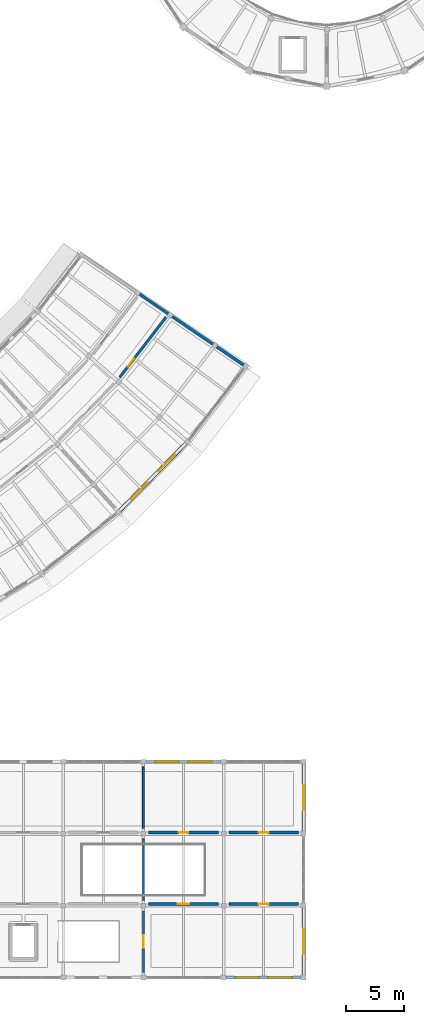
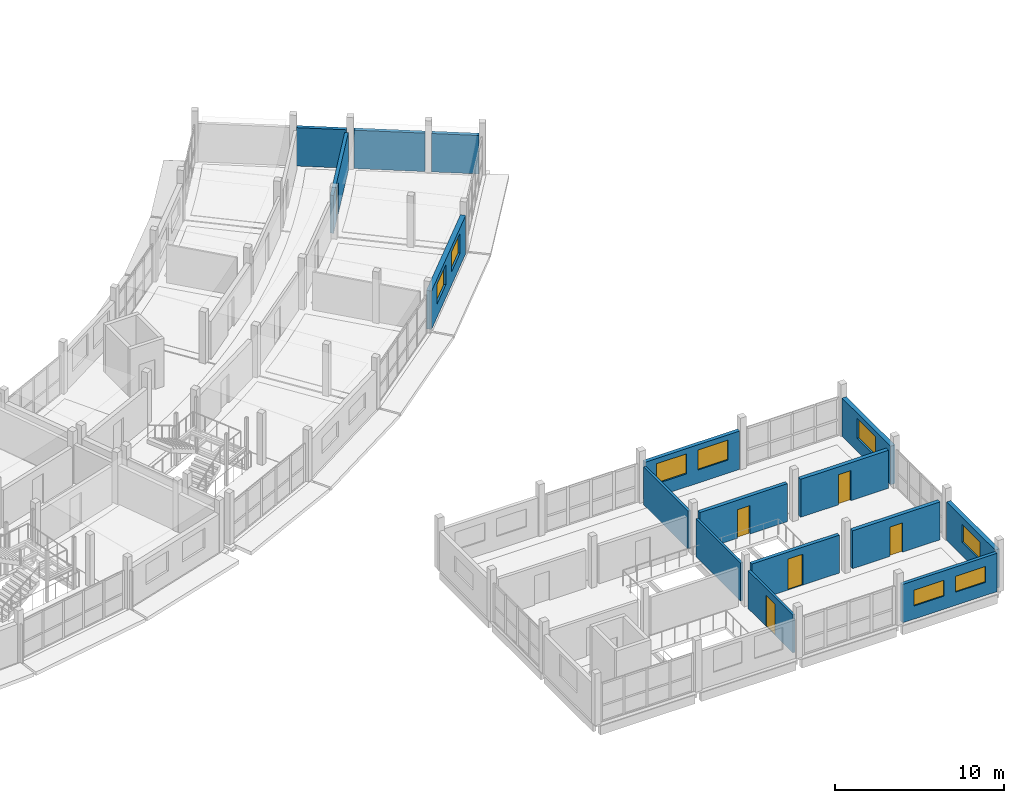
# One storey, part 62 of 77: 16 walls, 8 windows, 6 doors, 14 openings.
"""IFC4 building model written with IfcOpenShell, lengths in metres."""

from ifc_helpers import new_model, si_unit, direction, frame, frame_2d, origin, place, context, subcontext, project, spatial, rectangle, extrude, material, layer, layer_set, type_object, element, fill, save


model = new_model("IFC4")

# Units and contexts
model_context = context("Model", 3, precision=1e-05, world=origin(), true_north=direction((0.0, 1.0)))
body_context = subcontext(model_context, "Body", "Model", "MODEL_VIEW")
ifc_project = project(units=[si_unit("LENGTHUNIT", "METRE"), si_unit("AREAUNIT", "SQUARE_METRE"), si_unit("VOLUMEUNIT", "CUBIC_METRE"), si_unit("PLANEANGLEUNIT", "RADIAN"), si_unit("MASSUNIT", "GRAM", prefix="KILO")], contexts=[model_context])

# Site, building, storey
site_placement = place(None, origin())
site = spatial("IfcSite", under=ifc_project, at=site_placement, CompositionType="ELEMENT")
building_placement = place(site_placement, origin())
building = spatial("IfcBuilding", under=site, at=building_placement, Name="Caldaven Crescent School", CompositionType="ELEMENT")
storey_placement = place(building_placement, frame((0.0, 0.0, 4.419921875)))
storey = spatial("IfcBuildingStorey", under=building, at=storey_placement, Name="L01", CompositionType="ELEMENT", Elevation=4.419921875)

# Wall, openings, windows
ifc_material_1 = material(Name="Precast concrete C35/45", Category="concrete")
ifc_layer_1 = layer(ifc_material_1, 0.22802734375)
ifc_layer_set_1 = layer_set([ifc_layer_1], Name="Precast concrete C35/45")
wall_type_1 = type_object("IfcWallType", Name="WAL-EW04", PredefinedType="STANDARD", material=ifc_layer_set_1)
wall_1_placement = place(storey_placement, frame((143.81298828125, 4.199951171875, 0.0), z_axis=(0.0, 0.0, 1.0), x_axis=(1.0, 0.0, 0.0)))
wall_1 = element("IfcWall", 1, at=wall_1_placement, inside=storey, type_object=wall_type_1, Name="EW-L01-045", PredefinedType="STANDARD", context=body_context, shape_type="SweptSolid", body=[
    extrude(rectangle(XDim=6.47412109375, YDim=0.22802734375, at=frame_2d((3.237060546875, 0.0))), origin(), (0.0, 0.0, 1.0), 2.780029296875),
])
opening_1_placement = place(wall_1_placement, frame((0.78466796875, 0.0, 0.949951171875)))
opening_1 = element("IfcOpeningElement", 2, at=opening_1_placement, cuts=wall_1, Name="Opening W33", PredefinedType="OPENING", context=body_context, shape_type="SweptSolid", body=[
    extrude(rectangle(XDim=2.06005859375, YDim=1.14990234375, at=frame_2d((1.030029296875, 0.574951171875))), frame((0.0, 0.1240234375, 0.0), z_axis=(0.0, -1.0, 0.0), x_axis=(1.0, 0.0, 0.0)), (0.0, 0.0, 1.0), 0.248046875),
])
opening_2_placement = place(wall_1_placement, frame((3.62939453125, 0.0, 0.949951171875)))
opening_2 = element("IfcOpeningElement", 3, at=opening_2_placement, cuts=wall_1, Name="Opening W33", PredefinedType="OPENING", context=body_context, shape_type="SweptSolid", body=[
    extrude(rectangle(XDim=2.06005859375, YDim=1.14990234375, at=frame_2d((1.030029296875, 0.574951171875))), frame((0.0, 0.1240234375, 0.0), z_axis=(0.0, -1.0, 0.0), x_axis=(1.0, 0.0, 0.0)), (0.0, 0.0, 1.0), 0.248046875),
])
ifc_material_2 = material(Name="Thermally broken anodised aluminium AA 6063-T6 and low-E double glazing", Category="aluminium")
window_type_1 = type_object("IfcWindowType", Name="WIN-W33", PartitioningType="SINGLE_PANEL", PredefinedType="WINDOW", material=ifc_material_2)
window_1_placement = place(opening_1_placement, origin())
window_1 = element("IfcWindow", 4, at=window_1_placement, inside=storey, type_object=window_type_1, Name="WIN-L01-032-1", OverallHeight=1.14990234375, OverallWidth=2.06005859375, PartitioningType="SINGLE_PANEL", PredefinedType="WINDOW", context=body_context, shape_type="SweptSolid", body=[
    extrude(rectangle(XDim=2.06005859375, YDim=1.14990234375, at=frame_2d((1.030029296875, 0.574951171875))), frame((0.0, 0.030029296875, 0.0), z_axis=(0.0, -1.0, 0.0), x_axis=(1.0, 0.0, 0.0)), (0.0, 0.0, 1.0), 0.06005859375),
])
fill(opening_1, window_1)
window_2_placement = place(opening_2_placement, origin())
window_2 = element("IfcWindow", 5, at=window_2_placement, inside=storey, type_object=window_type_1, Name="WIN-L01-032-2", OverallHeight=1.14990234375, OverallWidth=2.06005859375, PartitioningType="SINGLE_PANEL", PredefinedType="WINDOW", context=body_context, shape_type="SweptSolid", body=[
    extrude(rectangle(XDim=2.06005859375, YDim=1.14990234375, at=frame_2d((1.030029296875, 0.574951171875))), frame((0.0, 0.030029296875, 0.0), z_axis=(0.0, -1.0, 0.0), x_axis=(1.0, 0.0, 0.0)), (0.0, 0.0, 1.0), 0.06005859375),
])
fill(opening_2, window_2)

# Walls
wall_2_placement = place(storey_placement, frame((136.375, 63.081298828125, 0.0), z_axis=(0.0, 0.0, 1.0), x_axis=(0.826746288828, -0.562574949592, 0.0)))
element("IfcWall", 6, at=wall_2_placement, inside=storey, type_object=wall_type_1, Name="EW-L01-157", PredefinedType="STANDARD", context=body_context, shape_type="SweptSolid", body=[
    extrude(rectangle(XDim=2.973876953125, YDim=0.22802734375, at=frame_2d((1.48681640625, 0.0))), origin(), (0.0, 0.0, 1.0), 2.780029296875),
])
ifc_layer_2 = layer(ifc_material_1, 0.239990234375)
ifc_layer_set_2 = layer_set([ifc_layer_2], Name="Precast concrete C35/45")
wall_type_2 = type_object("IfcWallType", Name="WAL-EW05", PredefinedType="STANDARD", material=ifc_layer_set_2)
wall_3_placement = place(storey_placement, frame((139.185791015625, 61.168701171875, 0.0), z_axis=(0.0, 0.0, 1.0), x_axis=(0.826749711991, -0.562569918964, 0.0)))
element("IfcWall", 7, at=wall_3_placement, inside=storey, type_object=wall_type_2, Name="EW-L01-158", PredefinedType="STANDARD", context=body_context, shape_type="SweptSolid", body=[
    extrude(rectangle(XDim=4.239013671875, YDim=0.239990234375, at=frame_2d((2.11962890625, 0.0))), origin(), (0.0, 0.0, 1.0), 2.780029296875),
])

# Wall, openings, windows
ifc_layer_3 = layer(ifc_material_1, 0.251953125)
ifc_layer_set_3 = layer_set([ifc_layer_3], Name="Precast concrete C35/45")
wall_type_3 = type_object("IfcWallType", Name="WAL-EW06", PredefinedType="STANDARD", material=ifc_layer_set_3)
wall_4_placement = place(storey_placement, frame((136.9130859375, 22.800048828125, 0.0), z_axis=(0.0, 0.0, 1.0), x_axis=(1.0, 0.0, 0.0)))
wall_4 = element("IfcWall", 8, at=wall_4_placement, inside=storey, type_object=wall_type_3, Name="EW-L01-047", PredefinedType="STANDARD", context=body_context, shape_type="SweptSolid", body=[
    extrude(rectangle(XDim=6.473876953125, YDim=0.251953125, at=frame_2d((3.23681640625, 0.0))), origin(), (0.0, 0.0, 1.0), 2.780029296875),
])
opening_3_placement = place(wall_4_placement, frame((0.78466796875, 0.0, 0.949951171875)))
opening_3 = element("IfcOpeningElement", 9, at=opening_3_placement, cuts=wall_4, Name="Opening W35", PredefinedType="OPENING", context=body_context, shape_type="SweptSolid", body=[
    extrude(rectangle(XDim=2.06005859375, YDim=1.449951171875, at=frame_2d((1.030029296875, 0.72509765625))), frame((0.0, 0.135986328125, 0.0), z_axis=(0.0, -1.0, 0.0), x_axis=(1.0, 0.0, 0.0)), (0.0, 0.0, 1.0), 0.27197265625),
])
opening_4_placement = place(wall_4_placement, frame((3.62939453125, 0.0, 0.949951171875)))
opening_4 = element("IfcOpeningElement", 10, at=opening_4_placement, cuts=wall_4, Name="Opening W35", PredefinedType="OPENING", context=body_context, shape_type="SweptSolid", body=[
    extrude(rectangle(XDim=2.06005859375, YDim=1.449951171875, at=frame_2d((1.030029296875, 0.72509765625))), frame((0.0, 0.135986328125, 0.0), z_axis=(0.0, -1.0, 0.0), x_axis=(1.0, 0.0, 0.0)), (0.0, 0.0, 1.0), 0.27197265625),
])
window_type_2 = type_object("IfcWindowType", Name="WIN-W35", PartitioningType="SINGLE_PANEL", PredefinedType="WINDOW", material=ifc_material_2)
window_3_placement = place(opening_3_placement, origin())
window_3 = element("IfcWindow", 11, at=window_3_placement, inside=storey, type_object=window_type_2, Name="WIN-L01-034-1", OverallHeight=1.449951171875, OverallWidth=2.06005859375, PartitioningType="SINGLE_PANEL", PredefinedType="WINDOW", context=body_context, shape_type="SweptSolid", body=[
    extrude(rectangle(XDim=2.06005859375, YDim=1.449951171875, at=frame_2d((1.030029296875, 0.72509765625))), frame((0.0, 0.030029296875, 0.0), z_axis=(0.0, -1.0, 0.0), x_axis=(1.0, 0.0, 0.0)), (0.0, 0.0, 1.0), 0.06005859375),
])
fill(opening_3, window_3)
window_4_placement = place(opening_4_placement, origin())
window_4 = element("IfcWindow", 12, at=window_4_placement, inside=storey, type_object=window_type_2, Name="WIN-L01-034-2", OverallHeight=1.449951171875, OverallWidth=2.06005859375, PartitioningType="SINGLE_PANEL", PredefinedType="WINDOW", context=body_context, shape_type="SweptSolid", body=[
    extrude(rectangle(XDim=2.06005859375, YDim=1.449951171875, at=frame_2d((1.030029296875, 0.72509765625))), frame((0.0, 0.030029296875, 0.0), z_axis=(0.0, -1.0, 0.0), x_axis=(1.0, 0.0, 0.0)), (0.0, 0.0, 1.0), 0.06005859375),
])
fill(opening_4, window_4)

# Wall
wall_5_placement = place(storey_placement, frame((143.017822265625, 58.56103515625, 0.0), z_axis=(0.0, 0.0, 1.0), x_axis=(0.826748315521, -0.562571971204, 0.0)))
element("IfcWall", 13, at=wall_5_placement, inside=storey, type_object=wall_type_3, Name="EW-L01-159", PredefinedType="STANDARD", context=body_context, shape_type="SweptSolid", body=[
    extrude(rectangle(XDim=2.803955078125, YDim=0.251953125, at=frame_2d((1.40185546875, 0.0))), origin(), (0.0, 0.0, 1.0), 2.780029296875),
])

# Wall, opening, window
ifc_layer_4 = layer(ifc_material_1, 0.2880859375)
ifc_layer_set_4 = layer_set([ifc_layer_4], Name="Precast concrete C35/45")
wall_type_4 = type_object("IfcWallType", Name="WAL-EW09", PredefinedType="STANDARD", material=ifc_layer_set_4)
wall_6_placement = place(storey_placement, frame((150.5, 4.4130859375, 0.0), z_axis=(0.0, 0.0, 1.0), x_axis=(0.0, 1.0, 0.0)))
wall_6 = element("IfcWall", 14, at=wall_6_placement, inside=storey, type_object=wall_type_4, Name="EW-L01-050", PredefinedType="STANDARD", context=body_context, shape_type="SweptSolid", body=[
    extrude(rectangle(XDim=5.77392578125, YDim=0.2880859375, at=frame_2d((2.886962890625, 0.0))), origin(), (0.0, 0.0, 1.0), 2.780029296875),
])
opening_5_placement = place(wall_6_placement, frame((1.797119140625, 0.0, 0.949951171875)))
opening_5 = element("IfcOpeningElement", 15, at=opening_5_placement, cuts=wall_6, Name="Opening W38", PredefinedType="OPENING", context=body_context, shape_type="SweptSolid", body=[
    extrude(rectangle(XDim=2.179931640625, YDim=1.300048828125, at=frame_2d((1.08984375, 0.64990234375))), frame((0.0, 0.154052734375, 0.0), z_axis=(0.0, -1.0, 0.0), x_axis=(1.0, 0.0, 0.0)), (0.0, 0.0, 1.0), 0.30810546875),
])
window_type_3 = type_object("IfcWindowType", Name="WIN-W38", PartitioningType="SINGLE_PANEL", PredefinedType="WINDOW", material=ifc_material_2)
window_5_placement = place(opening_5_placement, origin())
window_5 = element("IfcWindow", 16, at=window_5_placement, inside=storey, type_object=window_type_3, Name="WIN-L01-037-1", OverallHeight=1.300048828125, OverallWidth=2.179931640625, PartitioningType="SINGLE_PANEL", PredefinedType="WINDOW", context=body_context, shape_type="SweptSolid", body=[
    extrude(rectangle(XDim=2.179931640625, YDim=1.300048828125, at=frame_2d((1.08984375, 0.64990234375))), frame((0.0, 0.030029296875, 0.0), z_axis=(0.0, -1.0, 0.0), x_axis=(1.0, 0.0, 0.0)), (0.0, 0.0, 1.0), 0.06005859375),
])
fill(opening_5, window_5)

ifc_layer_5 = layer(ifc_material_1, 0.300048828125)
ifc_layer_set_5 = layer_set([ifc_layer_5], Name="Precast concrete C35/45")
wall_type_5 = type_object("IfcWallType", Name="WAL-EW10", PredefinedType="STANDARD", material=ifc_layer_set_5)
wall_7_placement = place(storey_placement, frame((150.5, 16.81298828125, 0.0), z_axis=(0.0, 0.0, 1.0), x_axis=(0.0, 1.0, 0.0)))
wall_7 = element("IfcWall", 17, at=wall_7_placement, inside=storey, type_object=wall_type_5, Name="EW-L01-051", PredefinedType="STANDARD", context=body_context, shape_type="SweptSolid", body=[
    extrude(rectangle(XDim=5.77392578125, YDim=0.300048828125, at=frame_2d((2.886962890625, 0.0))), origin(), (0.0, 0.0, 1.0), 2.780029296875),
])
opening_6_placement = place(wall_7_placement, frame((1.797119140625, 0.0, 0.949951171875)))
opening_6 = element("IfcOpeningElement", 18, at=opening_6_placement, cuts=wall_7, Name="Opening W39", PredefinedType="OPENING", context=body_context, shape_type="SweptSolid", body=[
    extrude(rectangle(XDim=2.179931640625, YDim=1.449951171875, at=frame_2d((1.08984375, 0.72509765625))), frame((0.0, 0.159912109375, 0.0), z_axis=(0.0, -1.0, 0.0), x_axis=(1.0, 0.0, 0.0)), (0.0, 0.0, 1.0), 0.320068359375),
])
window_type_4 = type_object("IfcWindowType", Name="WIN-W39", PartitioningType="SINGLE_PANEL", PredefinedType="WINDOW", material=ifc_material_2)
window_6_placement = place(opening_6_placement, origin())
window_6 = element("IfcWindow", 19, at=window_6_placement, inside=storey, type_object=window_type_4, Name="WIN-L01-038-1", OverallHeight=1.449951171875, OverallWidth=2.179931640625, PartitioningType="SINGLE_PANEL", PredefinedType="WINDOW", context=body_context, shape_type="SweptSolid", body=[
    extrude(rectangle(XDim=2.179931640625, YDim=1.449951171875, at=frame_2d((1.08984375, 0.72509765625))), frame((0.0, 0.030029296875, 0.0), z_axis=(0.0, -1.0, 0.0), x_axis=(1.0, 0.0, 0.0)), (0.0, 0.0, 1.0), 0.06005859375),
])
fill(opening_6, window_6)

# Wall, openings, windows
ifc_layer_6 = layer(ifc_material_1, 0.323974609375)
ifc_layer_set_6 = layer_set([ifc_layer_6], Name="Precast concrete C35/45")
wall_type_6 = type_object("IfcWallType", Name="WAL-EW12", PredefinedType="STANDARD", material=ifc_layer_set_6)
wall_8_placement = place(storey_placement, frame((134.6767578125, 44.45556640625, 0.0), z_axis=(0.0, 0.0, 1.0), x_axis=(0.70091301262, 0.713246765671, 0.0)))
wall_8 = element("IfcWall", 20, at=wall_8_placement, inside=storey, type_object=wall_type_6, Name="EW-L01-151", PredefinedType="STANDARD", context=body_context, shape_type="SweptSolid", body=[
    extrude(rectangle(XDim=8.095947265625, YDim=0.323974609375, at=frame_2d((4.0478515625, 0.0))), origin(), (0.0, 0.0, 1.0), 2.780029296875),
])
opening_7_placement = place(wall_8_placement, frame((1.3251953125, 0.0, 0.949951171875)))
opening_7 = element("IfcOpeningElement", 21, at=opening_7_placement, cuts=wall_8, Name="Opening W35", PredefinedType="OPENING", context=body_context, shape_type="SweptSolid", body=[
    extrude(rectangle(XDim=2.06005859375, YDim=1.449951171875, at=frame_2d((1.030029296875, 0.72509765625))), frame((0.0, 0.171875, 0.0), z_axis=(0.0, -1.0, 0.0), x_axis=(1.0, 0.0, 0.0)), (0.0, 0.0, 1.0), 0.343994140625),
])
opening_8_placement = place(wall_8_placement, frame((4.710693359375, 0.0, 0.949951171875)))
opening_8 = element("IfcOpeningElement", 22, at=opening_8_placement, cuts=wall_8, Name="Opening W35", PredefinedType="OPENING", context=body_context, shape_type="SweptSolid", body=[
    extrude(rectangle(XDim=2.06005859375, YDim=1.449951171875, at=frame_2d((1.030029296875, 0.72509765625))), frame((0.0, 0.171875, 0.0), z_axis=(0.0, -1.0, 0.0), x_axis=(1.0, 0.0, 0.0)), (0.0, 0.0, 1.0), 0.343994140625),
])
window_7_placement = place(opening_7_placement, origin())
window_7 = element("IfcWindow", 23, at=window_7_placement, inside=storey, type_object=window_type_2, Name="WIN-L01-082-1", OverallHeight=1.449951171875, OverallWidth=2.06005859375, PartitioningType="SINGLE_PANEL", PredefinedType="WINDOW", context=body_context, shape_type="SweptSolid", body=[
    extrude(rectangle(XDim=2.06005859375, YDim=1.449951171875, at=frame_2d((1.030029296875, 0.72509765625))), frame((0.0, 0.030029296875, 0.0), z_axis=(0.0, -1.0, 0.0), x_axis=(1.0, 0.0, 0.0)), (0.0, 0.0, 1.0), 0.06005859375),
])
fill(opening_7, window_7)
window_8_placement = place(opening_8_placement, origin())
window_8 = element("IfcWindow", 24, at=window_8_placement, inside=storey, type_object=window_type_2, Name="WIN-L01-082-2", OverallHeight=1.449951171875, OverallWidth=2.06005859375, PartitioningType="SINGLE_PANEL", PredefinedType="WINDOW", context=body_context, shape_type="SweptSolid", body=[
    extrude(rectangle(XDim=2.06005859375, YDim=1.449951171875, at=frame_2d((1.030029296875, 0.72509765625))), frame((0.0, 0.030029296875, 0.0), z_axis=(0.0, -1.0, 0.0), x_axis=(1.0, 0.0, 0.0)), (0.0, 0.0, 1.0), 0.06005859375),
])
fill(opening_8, window_8)

# Wall, opening, door
ifc_material_3 = material(Name="Acoustic timber-stud and fire-rated gypsum board assembly", Category="wood")
ifc_layer_7 = layer(ifc_material_3, 0.219970703125)
ifc_layer_set_7 = layer_set([ifc_layer_7], Name="Acoustic timber-stud and fire-rated gypsum board assembly")
wall_type_7 = type_object("IfcWallType", Name="WAL-IW07", PredefinedType="STANDARD", material=ifc_layer_set_7)
wall_9_placement = place(storey_placement, frame((134.6494140625, 55.92431640625, 0.0), z_axis=(0.0, 0.0, 1.0), x_axis=(0.610378079511, 0.792110219637, 0.0)))
wall_9 = element("IfcWall", 25, at=wall_9_placement, inside=storey, type_object=wall_type_7, Name="IW-L01-0230", PredefinedType="STANDARD", context=body_context, shape_type="SweptSolid", body=[
    extrude(rectangle(XDim=6.539794921875, YDim=0.219970703125, at=frame_2d((3.27001953125, 0.0))), origin(), (0.0, 0.0, 1.0), 2.75),
])
opening_9_placement = place(wall_9_placement, frame((1.179931640625, 0.0, 0.0)))
opening_9 = element("IfcOpeningElement", 26, at=opening_9_placement, cuts=wall_9, Name="Opening D-L01-I163", PredefinedType="OPENING", context=body_context, shape_type="SweptSolid", body=[
    extrude(rectangle(XDim=0.860107421875, YDim=2.239990234375, at=frame_2d((0.43017578125, 1.1201171875))), frame((0.0, 0.119873046875, 0.0), z_axis=(0.0, -1.0, 0.0), x_axis=(1.0, 0.0, 0.0)), (0.0, 0.0, 1.0), 0.239990234375),
])
ifc_material_4 = material(Name="Solid-core Pino Radiata acoustic timber leaf in steel frame", Category="steel")
door_type_1 = type_object("IfcDoorType", Name="DOR-ID04", OperationType="NOTDEFINED", PredefinedType="DOOR", material=ifc_material_4)
door_1_placement = place(opening_9_placement, origin())
door_1 = element("IfcDoor", 27, at=door_1_placement, inside=storey, type_object=door_type_1, Name="DOR-INT-L01-0163", OperationType="SINGLE_SWING_RIGHT", OverallHeight=2.239990234375, OverallWidth=0.860107421875, PredefinedType="DOOR", context=body_context, shape_type="SweptSolid", body=[
    extrude(rectangle(XDim=0.860107421875, YDim=2.239990234375, at=frame_2d((0.43017578125, 1.1201171875))), frame((0.0, 0.02490234375, 0.0), z_axis=(0.0, -1.0, 0.0), x_axis=(1.0, 0.0, 0.0)), (0.0, 0.0, 1.0), 0.050048828125),
])
fill(opening_9, door_1)

ifc_layer_8 = layer(ifc_material_3, 0.239990234375)
ifc_layer_set_8 = layer_set([ifc_layer_8], Name="Acoustic timber-stud and fire-rated gypsum board assembly")
wall_type_8 = type_object("IfcWallType", Name="WAL-IW09", PredefinedType="STANDARD", material=ifc_layer_set_8)
wall_10_placement = place(storey_placement, frame((137.14990234375, 10.550048828125, 0.0), z_axis=(0.0, 0.0, 1.0), x_axis=(1.0, 0.0, 0.0)))
wall_10 = element("IfcWall", 28, at=wall_10_placement, inside=storey, type_object=wall_type_8, Name="IW-L01-0088", PredefinedType="STANDARD", context=body_context, shape_type="SweptSolid", body=[
    extrude(rectangle(XDim=6.0, YDim=0.239990234375, at=frame_2d((3.0, 0.0))), origin(), (0.0, 0.0, 1.0), 2.75),
])
opening_10_placement = place(wall_10_placement, frame((2.489990234375, 0.0, 0.0)))
opening_10 = element("IfcOpeningElement", 29, at=opening_10_placement, cuts=wall_10, Name="Opening D-L01-I059", PredefinedType="OPENING", context=body_context, shape_type="SweptSolid", body=[
    extrude(rectangle(XDim=1.02001953125, YDim=2.239990234375, at=frame_2d((0.510009765625, 1.1201171875))), frame((0.0, 0.1298828125, 0.0), z_axis=(0.0, -1.0, 0.0), x_axis=(1.0, 0.0, 0.0)), (0.0, 0.0, 1.0), 0.260009765625),
])
door_type_2 = type_object("IfcDoorType", Name="DOR-ID20", OperationType="NOTDEFINED", PredefinedType="DOOR", material=ifc_material_4)
door_2_placement = place(opening_10_placement, origin())
door_2 = element("IfcDoor", 30, at=door_2_placement, inside=storey, type_object=door_type_2, Name="DOR-INT-L01-0059", OperationType="SINGLE_SWING_RIGHT", OverallHeight=2.239990234375, OverallWidth=1.02001953125, PredefinedType="DOOR", context=body_context, shape_type="SweptSolid", body=[
    extrude(rectangle(XDim=1.02001953125, YDim=2.239990234375, at=frame_2d((0.510009765625, 1.1201171875))), frame((0.0, 0.02490234375, 0.0), z_axis=(0.0, -1.0, 0.0), x_axis=(1.0, 0.0, 0.0)), (0.0, 0.0, 1.0), 0.050048828125),
])
fill(opening_10, door_2)

ifc_layer_9 = layer(ifc_material_3, 0.25)
ifc_layer_set_9 = layer_set([ifc_layer_9], Name="Acoustic timber-stud and fire-rated gypsum board assembly")
wall_type_9 = type_object("IfcWallType", Name="WAL-IW10", PredefinedType="STANDARD", material=ifc_layer_set_9)
wall_11_placement = place(storey_placement, frame((137.14990234375, 16.699951171875, 0.0), z_axis=(0.0, 0.0, 1.0), x_axis=(1.0, 0.0, 0.0)))
wall_11 = element("IfcWall", 31, at=wall_11_placement, inside=storey, type_object=wall_type_9, Name="IW-L01-0089", PredefinedType="STANDARD", context=body_context, shape_type="SweptSolid", body=[
    extrude(rectangle(XDim=6.0, YDim=0.25, at=frame_2d((3.0, 0.0))), origin(), (0.0, 0.0, 1.0), 2.75),
])
opening_11_placement = place(wall_11_placement, frame((2.570068359375, 0.0, 0.0)))
opening_11 = element("IfcOpeningElement", 32, at=opening_11_placement, cuts=wall_11, Name="Opening D-L01-I060", PredefinedType="OPENING", context=body_context, shape_type="SweptSolid", body=[
    extrude(rectangle(XDim=0.860107421875, YDim=2.06005859375, at=frame_2d((0.43017578125, 1.030029296875))), frame((0.0, 0.135009765625, 0.0), z_axis=(0.0, -1.0, 0.0), x_axis=(1.0, 0.0, 0.0)), (0.0, 0.0, 1.0), 0.27001953125),
])
door_type_3 = type_object("IfcDoorType", Name="DOR-ID01", OperationType="NOTDEFINED", PredefinedType="DOOR", material=ifc_material_4)
door_3_placement = place(opening_11_placement, frame((0.860107421875, 0.0, 0.0), z_axis=(0.0, 0.0, 1.0), x_axis=(-1.0, 0.0, 0.0)))
door_3 = element("IfcDoor", 33, at=door_3_placement, inside=storey, type_object=door_type_3, Name="DOR-INT-L01-0060", OperationType="SINGLE_SWING_LEFT", OverallHeight=2.06005859375, OverallWidth=0.860107421875, PredefinedType="DOOR", context=body_context, shape_type="SweptSolid", body=[
    extrude(rectangle(XDim=0.860107421875, YDim=2.06005859375, at=frame_2d((0.43017578125, 1.030029296875))), frame((0.0, 0.02490234375, 0.0), z_axis=(0.0, -1.0, 0.0), x_axis=(1.0, 0.0, 0.0)), (0.0, 0.0, 1.0), 0.050048828125),
])
fill(opening_11, door_3)

ifc_layer_10 = layer(ifc_material_3, 0.260009765625)
ifc_layer_set_10 = layer_set([ifc_layer_10], Name="Acoustic timber-stud and fire-rated gypsum board assembly")
wall_type_10 = type_object("IfcWallType", Name="WAL-IW11", PredefinedType="STANDARD", material=ifc_layer_set_10)
wall_12_placement = place(storey_placement, frame((144.050048828125, 10.550048828125, 0.0), z_axis=(0.0, 0.0, 1.0), x_axis=(1.0, 0.0, 0.0)))
wall_12 = element("IfcWall", 34, at=wall_12_placement, inside=storey, type_object=wall_type_10, Name="IW-L01-0090", PredefinedType="STANDARD", context=body_context, shape_type="SweptSolid", body=[
    extrude(rectangle(XDim=6.0, YDim=0.260009765625, at=frame_2d((3.0, 0.0))), origin(), (0.0, 0.0, 1.0), 2.75),
])
opening_12_placement = place(wall_12_placement, frame((2.570068359375, 0.0, 0.0)))
opening_12 = element("IfcOpeningElement", 35, at=opening_12_placement, cuts=wall_12, Name="Opening D-L01-I061", PredefinedType="OPENING", context=body_context, shape_type="SweptSolid", body=[
    extrude(rectangle(XDim=0.860107421875, YDim=2.1201171875, at=frame_2d((0.43017578125, 1.06005859375))), frame((0.0, 0.139892578125, 0.0), z_axis=(0.0, -1.0, 0.0), x_axis=(1.0, 0.0, 0.0)), (0.0, 0.0, 1.0), 0.280029296875),
])
door_type_4 = type_object("IfcDoorType", Name="DOR-ID02", OperationType="NOTDEFINED", PredefinedType="DOOR", material=ifc_material_4)
door_4_placement = place(opening_12_placement, origin())
door_4 = element("IfcDoor", 36, at=door_4_placement, inside=storey, type_object=door_type_4, Name="DOR-INT-L01-0061", OperationType="SINGLE_SWING_RIGHT", OverallHeight=2.1201171875, OverallWidth=0.860107421875, PredefinedType="DOOR", context=body_context, shape_type="SweptSolid", body=[
    extrude(rectangle(XDim=0.860107421875, YDim=2.1201171875, at=frame_2d((0.43017578125, 1.06005859375))), frame((0.0, 0.02490234375, 0.0), z_axis=(0.0, -1.0, 0.0), x_axis=(1.0, 0.0, 0.0)), (0.0, 0.0, 1.0), 0.050048828125),
])
fill(opening_12, door_4)

ifc_material_5 = material(Name="Autoclaved aerated concrete block masonry G5", Category="masonry")
ifc_layer_11 = layer(ifc_material_5, 0.27001953125)
ifc_layer_set_11 = layer_set([ifc_layer_11], Name="Autoclaved aerated concrete block masonry G5")
wall_type_11 = type_object("IfcWallType", Name="WAL-IW12", PredefinedType="STANDARD", material=ifc_layer_set_11)
wall_13_placement = place(storey_placement, frame((144.050048828125, 16.699951171875, 0.0), z_axis=(0.0, 0.0, 1.0), x_axis=(1.0, 0.0, 0.0)))
wall_13 = element("IfcWall", 37, at=wall_13_placement, inside=storey, type_object=wall_type_11, Name="IW-L01-0091", PredefinedType="STANDARD", context=body_context, shape_type="SweptSolid", body=[
    extrude(rectangle(XDim=6.0, YDim=0.27001953125, at=frame_2d((3.0, 0.0))), origin(), (0.0, 0.0, 1.0), 2.75),
])
opening_13_placement = place(wall_13_placement, frame((2.570068359375, 0.0, 0.0)))
opening_13 = element("IfcOpeningElement", 38, at=opening_13_placement, cuts=wall_13, Name="Opening D-L01-I062", PredefinedType="OPENING", context=body_context, shape_type="SweptSolid", body=[
    extrude(rectangle(XDim=0.860107421875, YDim=2.179931640625, at=frame_2d((0.43017578125, 1.08984375))), frame((0.0, 0.14501953125, 0.0), z_axis=(0.0, -1.0, 0.0), x_axis=(1.0, 0.0, 0.0)), (0.0, 0.0, 1.0), 0.2900390625),
])
door_type_5 = type_object("IfcDoorType", Name="DOR-ID03", OperationType="NOTDEFINED", PredefinedType="DOOR", material=ifc_material_4)
door_5_placement = place(opening_13_placement, frame((0.860107421875, 0.0, 0.0), z_axis=(0.0, 0.0, 1.0), x_axis=(-1.0, 0.0, 0.0)))
door_5 = element("IfcDoor", 39, at=door_5_placement, inside=storey, type_object=door_type_5, Name="DOR-INT-L01-0062", OperationType="SINGLE_SWING_LEFT", OverallHeight=2.179931640625, OverallWidth=0.860107421875, PredefinedType="DOOR", context=body_context, shape_type="SweptSolid", body=[
    extrude(rectangle(XDim=0.860107421875, YDim=2.179931640625, at=frame_2d((0.43017578125, 1.08984375))), frame((0.0, 0.02490234375, 0.0), z_axis=(0.0, -1.0, 0.0), x_axis=(1.0, 0.0, 0.0)), (0.0, 0.0, 1.0), 0.050048828125),
])
fill(opening_13, door_5)

ifc_material_6 = material(Name="Acoustic double-layer gypsum partition on galvanised steel studs", Category="steel")
ifc_layer_12 = layer(ifc_material_6, 0.157958984375)
ifc_layer_set_12 = layer_set([ifc_layer_12], Name="Acoustic double-layer gypsum partition on galvanised steel studs")
wall_type_12 = type_object("IfcWallType", Name="WAL-PT13", PredefinedType="PARTITIONING", material=ifc_layer_set_12)
wall_14_placement = place(storey_placement, frame((136.699951171875, 4.64990234375, 0.0), z_axis=(0.0, 0.0, 1.0), x_axis=(0.0, 1.0, 0.0)))
wall_14 = element("IfcWall", 40, at=wall_14_placement, inside=storey, type_object=wall_type_12, Name="IW-L01-0092", PredefinedType="PARTITIONING", context=body_context, shape_type="SweptSolid", body=[
    extrude(rectangle(XDim=5.300048828125, YDim=0.157958984375, at=frame_2d((2.64990234375, 0.0))), origin(), (0.0, 0.0, 1.0), 2.75),
])
opening_14_placement = place(wall_14_placement, frame((2.10009765625, 0.0, 0.0)))
opening_14 = element("IfcOpeningElement", 41, at=opening_14_placement, cuts=wall_14, Name="Opening D-L01-I063", PredefinedType="OPENING", context=body_context, shape_type="SweptSolid", body=[
    extrude(rectangle(XDim=1.10009765625, YDim=2.239990234375, at=frame_2d((0.550048828125, 1.1201171875))), frame((0.0, 0.0888671875, 0.0), z_axis=(0.0, -1.0, 0.0), x_axis=(1.0, 0.0, 0.0)), (0.0, 0.0, 1.0), 0.177978515625),
])
door_type_6 = type_object("IfcDoorType", Name="DOR-ID28", OperationType="NOTDEFINED", PredefinedType="DOOR", material=ifc_material_4)
door_6_placement = place(opening_14_placement, frame((1.10009765625, 0.0, 0.0), z_axis=(0.0, 0.0, 1.0), x_axis=(-1.0, 0.0, 0.0)))
door_6 = element("IfcDoor", 42, at=door_6_placement, inside=storey, type_object=door_type_6, Name="DOR-INT-L01-0063", OperationType="SINGLE_SWING_RIGHT", OverallHeight=2.239990234375, OverallWidth=1.10009765625, PredefinedType="DOOR", context=body_context, shape_type="SweptSolid", body=[
    extrude(rectangle(XDim=1.10009765625, YDim=2.239990234375, at=frame_2d((0.550048828125, 1.1201171875))), frame((0.0, 0.02490234375, 0.0), z_axis=(0.0, -1.0, 0.0), x_axis=(1.0, 0.0, 0.0)), (0.0, 0.0, 1.0), 0.050048828125),
])
fill(opening_14, door_6)

# Walls
ifc_layer_13 = layer(ifc_material_6, 0.1640625)
ifc_layer_set_13 = layer_set([ifc_layer_13], Name="Acoustic double-layer gypsum partition on galvanised steel studs")
wall_type_13 = type_object("IfcWallType", Name="WAL-PT14", PredefinedType="PARTITIONING", material=ifc_layer_set_13)
wall_15_placement = place(storey_placement, frame((136.699951171875, 10.85009765625, 0.0), z_axis=(0.0, 0.0, 1.0), x_axis=(0.0, 1.0, 0.0)))
element("IfcWall", 43, at=wall_15_placement, inside=storey, type_object=wall_type_13, Name="IW-L01-0093", PredefinedType="PARTITIONING", context=body_context, shape_type="SweptSolid", body=[
    extrude(rectangle(XDim=5.2998046875, YDim=0.1640625, at=frame_2d((2.64990234375, 0.0))), origin(), (0.0, 0.0, 1.0), 2.75),
])
ifc_layer_14 = layer(ifc_material_6, 0.169921875)
ifc_layer_set_14 = layer_set([ifc_layer_14], Name="Acoustic double-layer gypsum partition on galvanised steel studs")
wall_type_14 = type_object("IfcWallType", Name="WAL-PT15", PredefinedType="PARTITIONING", material=ifc_layer_set_14)
wall_16_placement = place(storey_placement, frame((136.699951171875, 17.050048828125, 0.0), z_axis=(0.0, 0.0, 1.0), x_axis=(0.0, 1.0, 0.0)))
element("IfcWall", 44, at=wall_16_placement, inside=storey, type_object=wall_type_14, Name="IW-L01-0094", PredefinedType="PARTITIONING", context=body_context, shape_type="SweptSolid", body=[
    extrude(rectangle(XDim=5.300048828125, YDim=0.169921875, at=frame_2d((2.64990234375, 0.0))), origin(), (0.0, 0.0, 1.0), 2.75),
])

save(model, "model.ifc")
